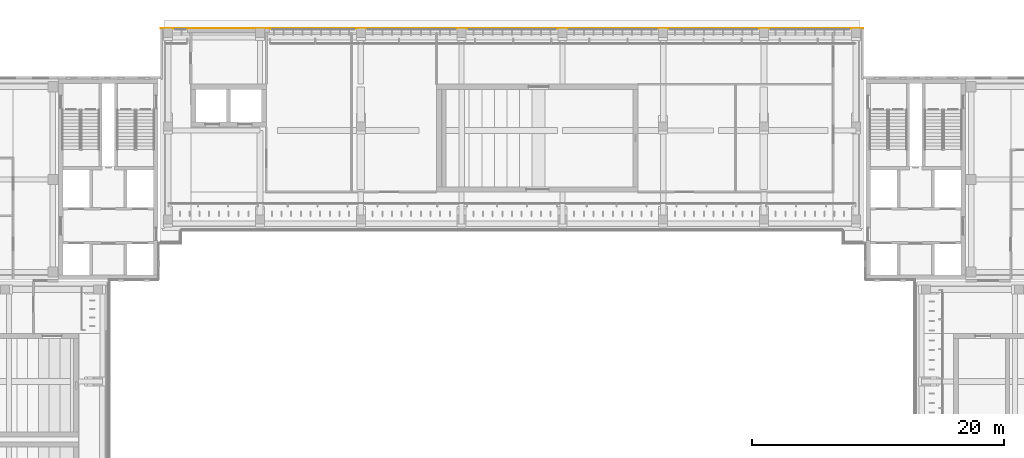
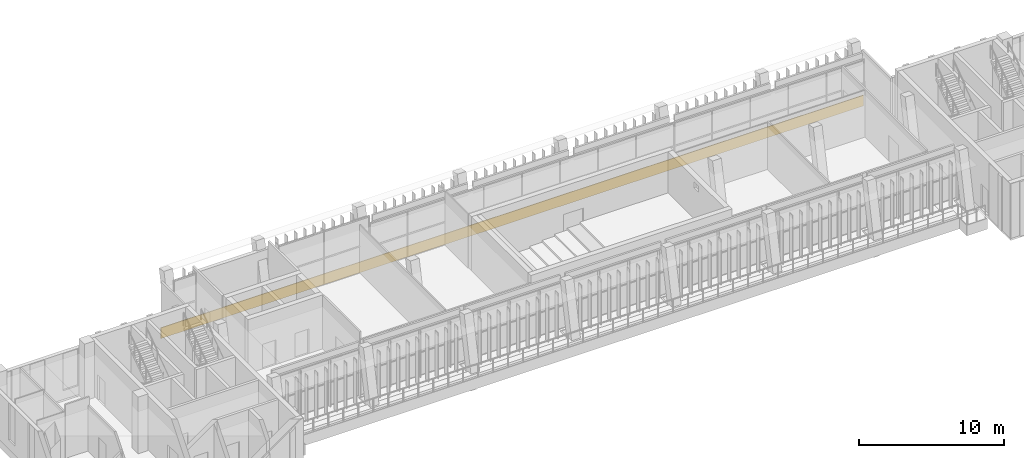
# One storey, part 67 of 74: 1 covering.
"""IFC4 building model written with IfcOpenShell, lengths in metres."""

from ifc_helpers import new_model, si_unit, direction, frame, frame_2d, origin, place, context, subcontext, project, spatial, rectangle, extrude, material, layer, layer_set, type_object, element, save


model = new_model("IFC4")

# Units and contexts
model_context = context("Model", 3, precision=1e-05, world=origin(), true_north=direction((0.0, 1.0)))
body_context = subcontext(model_context, "Body", "Model", "MODEL_VIEW")
ifc_project = project(units=[si_unit("LENGTHUNIT", "METRE"), si_unit("AREAUNIT", "SQUARE_METRE"), si_unit("VOLUMEUNIT", "CUBIC_METRE"), si_unit("PLANEANGLEUNIT", "RADIAN"), si_unit("MASSUNIT", "GRAM", prefix="KILO")], contexts=[model_context])

# Site, building, storey
site_placement = place(None, origin())
site = spatial("IfcSite", under=ifc_project, at=site_placement, CompositionType="ELEMENT")
building_placement = place(site_placement, origin())
building = spatial("IfcBuilding", under=site, at=building_placement, Name="Lantern Court Media Centre", CompositionType="ELEMENT")
storey_placement = place(building_placement, frame((0.0, 0.0, 19.199951171875)))
storey = spatial("IfcBuildingStorey", under=building, at=storey_placement, Name="L04", CompositionType="ELEMENT", Elevation=19.199951171875)

# Covering
ifc_material = material(Name="White glass-fibre reinforced cement cladding", Category="concrete")
ifc_layer = layer(ifc_material, 0.050048828125)
ifc_layer_set = layer_set([ifc_layer], Name="White glass-fibre reinforced cement cladding")
covering_type = type_object("IfcCoveringType", Name="Floor-edge band 50", PredefinedType="CLADDING", material=ifc_layer_set)
covering_placement = place(storey_placement, frame((24.10009765625, 116.02490234375, -0.89990234375), z_axis=(0.0, 0.0, 1.0), x_axis=(1.0, 0.0, 0.0)))
element("IfcCovering", 1, at=covering_placement, inside=storey, type_object=covering_type, Name="Floor-edge band N outer L04", PredefinedType="CLADDING", context=body_context, shape_type="SweptSolid", body=[
    extrude(rectangle(XDim=55.7998046875, YDim=0.050048828125, at=frame_2d((27.89990234375, 0.0))), origin(), (0.0, 0.0, 1.0), 0.89990234375),
])

save(model, "model.ifc")
